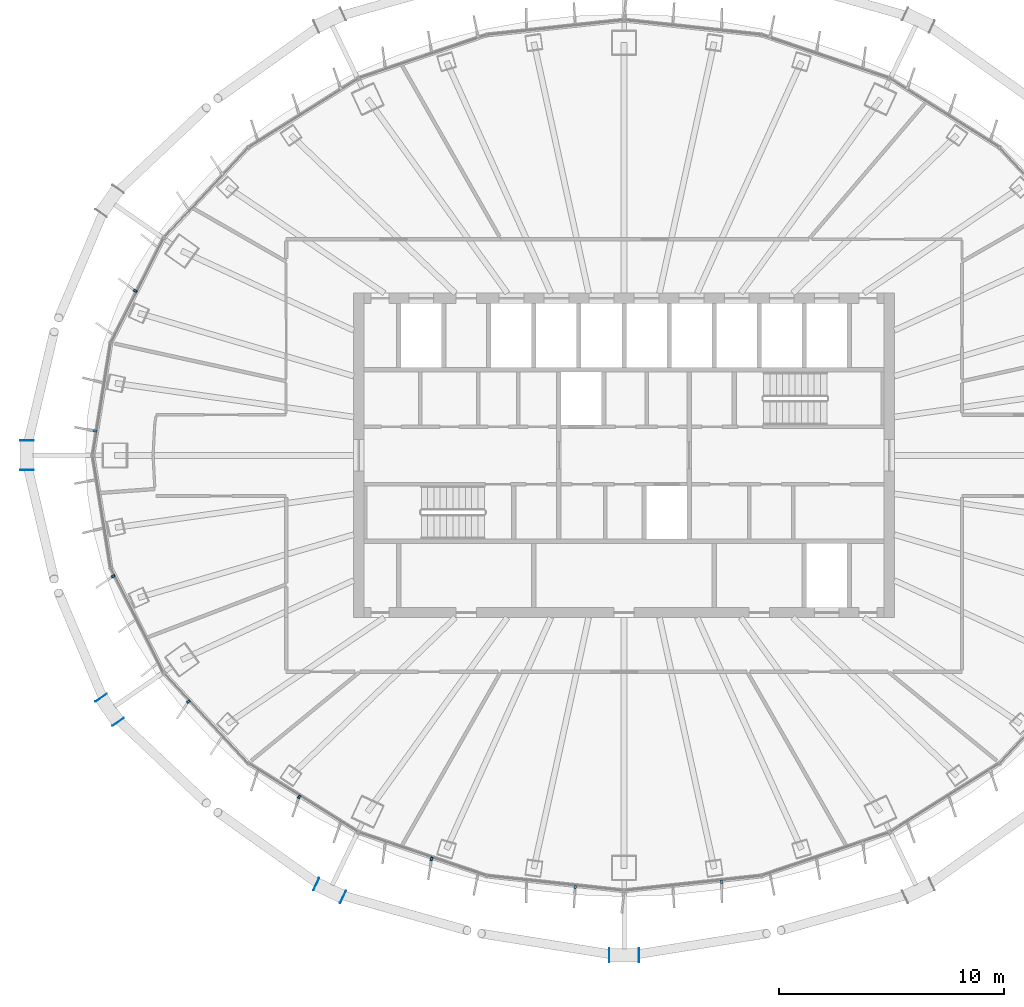
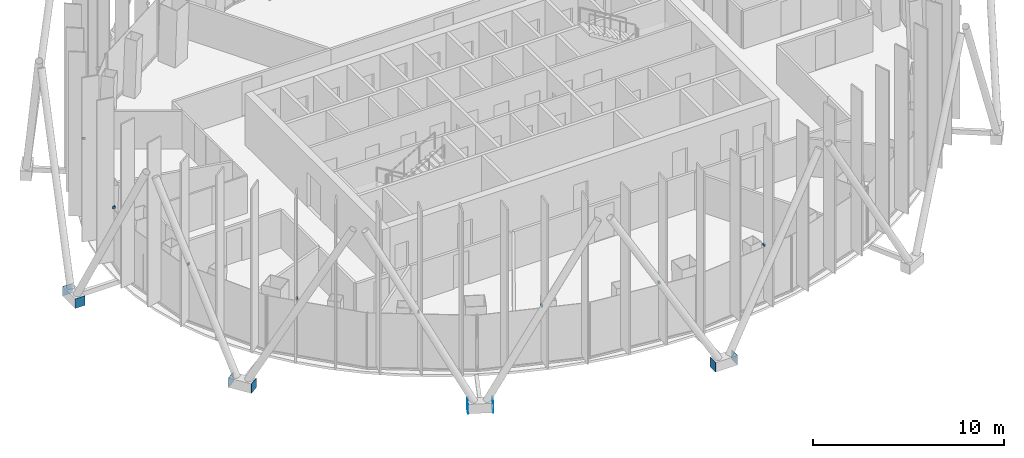
# One storey, part 12 of 19: 16 discrete accessories.
"""IFC4 building model written with IfcOpenShell, lengths in metres."""

from ifc_helpers import new_model, si_unit, direction, frame, origin, origin_2d, place, context, subcontext, project, spatial, rectangle, extrude, material, layer, layer_set, type_object, element, save


model = new_model("IFC4")

# Units and contexts
model_context = context("Model", 3, precision=1e-05, world=origin(), true_north=direction((0.0, 1.0)))
body_context = subcontext(model_context, "Body", "Model", "MODEL_VIEW")
ifc_project = project(units=[si_unit("LENGTHUNIT", "METRE"), si_unit("AREAUNIT", "SQUARE_METRE"), si_unit("VOLUMEUNIT", "CUBIC_METRE"), si_unit("PLANEANGLEUNIT", "RADIAN"), si_unit("MASSUNIT", "GRAM", prefix="KILO")], contexts=[model_context])

# Site, building, storey
site_placement = place(None, origin())
site = spatial("IfcSite", under=ifc_project, at=site_placement, CompositionType="ELEMENT")
building_placement = place(site_placement, origin())
building = spatial("IfcBuilding", under=site, at=building_placement, Name="Siaravel Broadcast Tower", CompositionType="ELEMENT")
storey_placement = place(building_placement, frame((0.0, 0.0, 168.199951171875)))
storey = spatial("IfcBuildingStorey", under=building, at=storey_placement, Name="L40", CompositionType="ELEMENT", Elevation=168.199951171875)

# Discrete accessories
ifc_material_1 = material(Name="Stainless steel 316", Category="steel")
discrete_accessory_type_1 = type_object("IfcDiscreteAccessoryType", Name="Stainless steel fin bracket", PredefinedType="USERDEFINED", material=ifc_material_1)
for number, where, z_axis, x_axis, name in (
    (1, (-21.69189453125, 7.2998046875, 3.68017578125), (0.0, 0.0, 1.0), (-0.892392151, 0.451260732, 0.0), "Fin bracket L40-28"),
    (2, (-23.475341796875, 1.083740234375, 3.68017578125), (0.0, 0.0, 1.0), (-0.987329198, 0.158685394, 0.0), "Fin bracket L40-31"),
    (3, (-22.67236328125, -5.360595703125, 3.68017578125), (0.0, 0.0, 1.0), (-0.892392151, -0.451260732, 0.0), "Fin bracket L40-34"),
    (4, (-19.33349609375, -10.924560546875, 3.68017578125), (0.0, 0.0, 1.0), (-0.729804415, -0.683655992, 0.0), "Fin bracket L40-37"),
    (5, (-14.423583984375, -15.160400390625, 3.68017578125), (0.0, 0.0, 1.0), (-0.532149452, -0.846650436, 0.0), "Fin bracket L40-40"),
    (6, (-8.54345703125, -17.90966796875, 3.68017578125), (0.0, 0.0, 1.0), (-0.321300635, -0.946977245, 0.0), "Fin bracket L40-43"),
    (7, (-2.16796875, -19.1591796875, 3.68017578125), (0.0, 0.0, 1.0), (-0.107216783, -0.994235667, 0.0), "Fin bracket L40-46"),
    (8, (4.328369140625, -18.92626953125, 3.68017578125), (0.0, 0.0, 1.0), (0.107216783, -0.994235667, 0.0), "Fin bracket L40-49"),
):
    element("IfcDiscreteAccessory", number, at=place(storey_placement, frame(where, z_axis=z_axis, x_axis=x_axis)), inside=storey, type_object=discrete_accessory_type_1, Name=name, ObjectType="BRACKET", PredefinedType="USERDEFINED", context=body_context, shape_type="SweptSolid", body=[
        extrude(rectangle(XDim=0.159912109375, YDim=0.10009765625, at=origin_2d()), origin(), (0.0, 0.0, 1.0), 0.139892578125),
    ])
ifc_material_2 = material(Name="Steel S355", Category="steel")
ifc_layer = layer(ifc_material_2, 0.02001953125)
ifc_layer_set = layer_set([ifc_layer], Name="Steel S355")
discrete_accessory_type_2 = type_object("IfcDiscreteAccessoryType", Name="Steel end plate 20 mm", PredefinedType="USERDEFINED", material=ifc_layer_set)
for number, where, z_axis, x_axis, name in (
    (9, (-26.5126953125, -0.65673828125, -0.5), (0.0, 0.0, 1.0), (0.0, -1.0, 0.0), "End plate R17 station 36A"),
    (10, (-26.5126953125, 0.65673828125, -0.5), (0.0, 0.0, 1.0), (0.0, -1.0, 0.0), "End plate R17 station 36B"),
    (11, (-22.455810546875, -11.828369140625, -0.5), (0.0, 0.0, 1.0), (0.576118513, -0.817366172, 0.0), "End plate R17 station 42A"),
    (12, (-23.21240234375, -10.7548828125, -0.5), (0.0, 0.0, 1.0), (0.576118513, -0.817366172, 0.0), "End plate R17 station 42B"),
    (13, (-12.47412109375, -19.59423828125, -0.5), (0.0, 0.0, 1.0), (0.904006456, -0.427518805, 0.0), "End plate R17 station 48A"),
    (14, (-13.66162109375, -19.03271484375, -0.5), (0.0, 0.0, 1.0), (0.904006456, -0.427518805, 0.0), "End plate R17 station 48B"),
    (15, (0.65673828125, -22.187255859375, -0.5), (0.0, 0.0, 1.0), (1.0, 0.0, 0.0), "End plate R17 station 54A"),
    (16, (-0.65673828125, -22.187255859375, -0.5), (0.0, 0.0, 1.0), (1.0, 0.0, 0.0), "End plate R17 station 54B"),
):
    element("IfcDiscreteAccessory", number, at=place(storey_placement, frame(where, z_axis=z_axis, x_axis=x_axis)), inside=storey, type_object=discrete_accessory_type_2, Name=name, ObjectType="END PLATE", PredefinedType="USERDEFINED", context=body_context, shape_type="SweptSolid", body=[
        extrude(rectangle(XDim=0.02001953125, YDim=0.60009765625, at=origin_2d()), origin(), (0.0, 0.0, 1.0), 0.60009765625),
    ])

save(model, "model.ifc")
